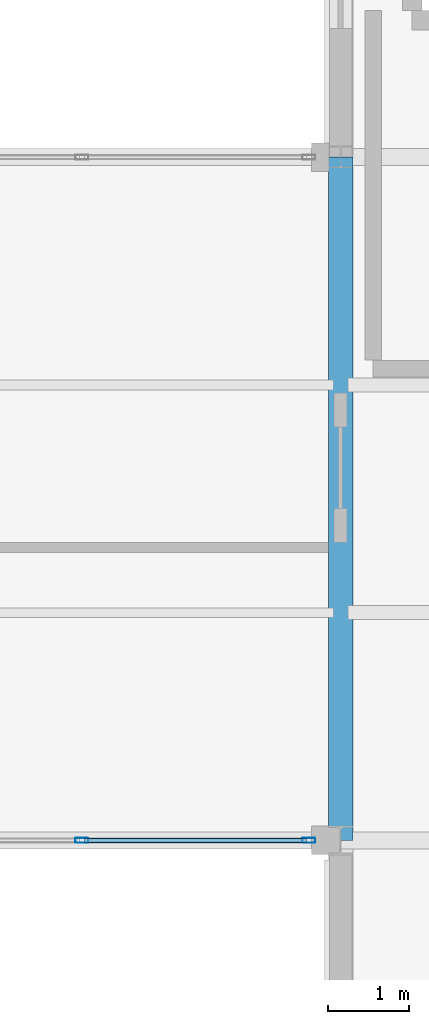
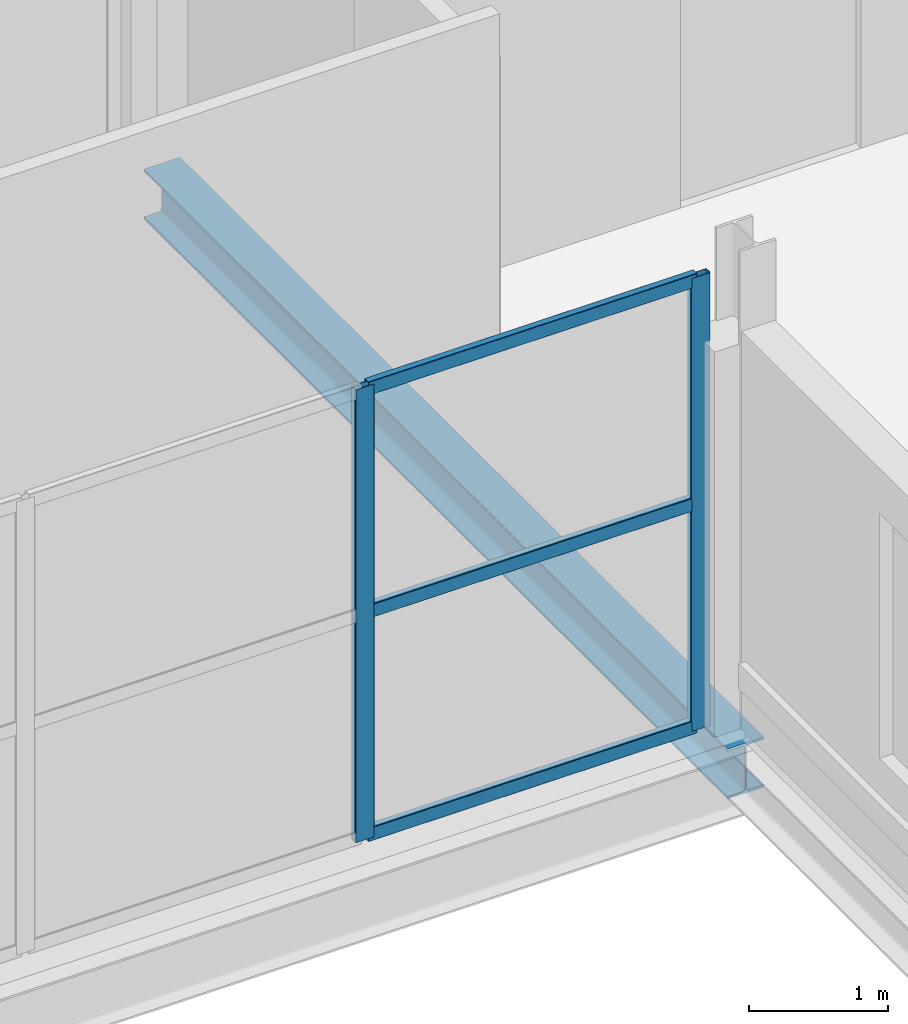
# One storey, part 57 of 101: 5 members, 1 beam, 1 element without a shape of its own.
"""IFC4 building model written with IfcOpenShell, lengths in metres."""

from ifc_helpers import new_model, si_unit, direction, frame, origin, origin_2d, place, context, subcontext, project, spatial, hollow_rectangle, i_section, extrude, material, layer, layer_set, material_profile, profile_set, type_object, element, aggregate, save


model = new_model("IFC4")

# Units and contexts
model_context = context("Model", 3, precision=1e-05, world=origin(), true_north=direction((0.0, 1.0)))
body_context = subcontext(model_context, "Body", "Model", "MODEL_VIEW")
ifc_project = project(units=[si_unit("LENGTHUNIT", "METRE"), si_unit("AREAUNIT", "SQUARE_METRE"), si_unit("VOLUMEUNIT", "CUBIC_METRE"), si_unit("PLANEANGLEUNIT", "RADIAN"), si_unit("MASSUNIT", "GRAM", prefix="KILO")], contexts=[model_context])

# Site, building, storey
site_placement = place(None, origin())
site = spatial("IfcSite", under=ifc_project, at=site_placement, CompositionType="ELEMENT")
building_placement = place(site_placement, origin())
building = spatial("IfcBuilding", under=site, at=building_placement, Name="Vekula Escarpment Museum", CompositionType="ELEMENT")
storey_placement = place(building_placement, frame((0.0, 0.0, 18.0)))
storey = spatial("IfcBuildingStorey", under=building, at=storey_placement, Name="L04", CompositionType="ELEMENT", Elevation=18.0)

# Beam
ifc_material_1 = material(Name="Steel S355", Category="steel")
ifc_material_profile_1 = material_profile(ifc_material_1, i_section(OverallWidth=0.300048828125, OverallDepth=0.43994140625, WebThickness=0.011474609375, FlangeThickness=0.02099609375, FilletRadius=0.027099609375, at=origin_2d()), Name="HEA 450")
ifc_profile_set_1 = profile_set([ifc_material_profile_1], Name="Steel S355")
beam_type = type_object("IfcBeamType", Name="BM-SPAN-HEA450", PredefinedType="SPANDREL", material=ifc_profile_set_1)
beam_placement = place(storey_placement, frame((167.0, 68.0, -0.5), z_axis=(0.0, 1.0, 0.0), x_axis=(-1.0, 0.0, 0.0)))
element("IfcBeam", 1, at=beam_placement, inside=storey, type_object=beam_type, Name="Beam Y L04 1922", PredefinedType="SPANDREL", context=body_context, shape_type="SweptSolid", body=[
    extrude(i_section(OverallWidth=0.300048828125, OverallDepth=0.43994140625, WebThickness=0.011474609375, FlangeThickness=0.02099609375, FilletRadius=0.027099609375, at=origin_2d()), origin(), (0.0, 0.0, 1.0), 8.39990234375),
])

# Curtain wall, members
ifc_material_2 = material(Name="Aluminium thermally broken framing", Category="aluminium")
ifc_layer = layer(ifc_material_2, 0.159912109375)
ifc_layer_set = layer_set([ifc_layer], Name="Aluminium thermally broken framing")
curtain_wall_type = type_object("IfcCurtainWallType", Name="CW-SYS-05", PredefinedType="NOTDEFINED", material=ifc_layer_set)
curtain_wall_placement = place(storey_placement, origin())
curtain_wall = element("IfcCurtainWall", 2, at=curtain_wall_placement, inside=storey, type_object=curtain_wall_type, Name="Curtain Wall CW-L04-145", PredefinedType="NOTDEFINED")
ifc_material_3 = material(Name="Aluminium anodized mullion", Category="aluminium")
ifc_material_profile_2 = material_profile(ifc_material_3, hollow_rectangle(XDim=0.06005859375, YDim=0.159912109375, WallThickness=0.00390625, InnerFilletRadius=0.00390625, OuterFilletRadius=0.008056640625, at=origin_2d()), Name="ALU 160x60x4")
ifc_profile_set_2 = profile_set([ifc_material_profile_2], Name="Aluminium anodized mullion")
member_type_1 = type_object("IfcMemberType", Name="CW-MUL-160", PredefinedType="MULLION", material=ifc_profile_set_2)
member_1_placement = place(storey_placement, frame((163.820068359375, 68.0, 0.0), z_axis=(0.0, 0.0, 1.0), x_axis=(0.0, 1.0, 0.0)))
member_1 = element("IfcMember", 3, at=member_1_placement, type_object=member_type_1, Name="CW-05 mullion 4", PredefinedType="MULLION", context=body_context, shape_type="SweptSolid", body=[
    extrude(hollow_rectangle(XDim=0.06005859375, YDim=0.159912109375, WallThickness=0.00390625, InnerFilletRadius=0.00390625, OuterFilletRadius=0.008056640625, at=origin_2d()), origin(), (0.0, 0.0, 1.0), 3.97998046875),
])
member_2_placement = place(storey_placement, frame((166.610107421875, 68.0, 0.0), z_axis=(0.0, 0.0, 1.0), x_axis=(0.0, 1.0, 0.0)))
member_2 = element("IfcMember", 4, at=member_2_placement, type_object=member_type_1, Name="CW-05 mullion 5", PredefinedType="MULLION", context=body_context, shape_type="SweptSolid", body=[
    extrude(hollow_rectangle(XDim=0.06005859375, YDim=0.159912109375, WallThickness=0.00390625, InnerFilletRadius=0.00390625, OuterFilletRadius=0.008056640625, at=origin_2d()), origin(), (0.0, 0.0, 1.0), 3.97998046875),
])
ifc_material_4 = material(Name="Aluminium anodized transom", Category="aluminium")
ifc_material_profile_3 = material_profile(ifc_material_4, hollow_rectangle(XDim=0.06005859375, YDim=0.1201171875, WallThickness=0.00390625, InnerFilletRadius=0.00390625, OuterFilletRadius=0.008056640625, at=origin_2d()), Name="ALU 120x60x4")
ifc_profile_set_3 = profile_set([ifc_material_profile_3], Name="Aluminium anodized transom")
member_type_2 = type_object("IfcMemberType", Name="CW-TRN-120", PredefinedType="USERDEFINED", material=ifc_profile_set_3)
member_3_placement = place(storey_placement, frame((163.85009765625, 68.0, 0.030029296875), z_axis=(1.0, 0.0, 0.0), x_axis=(0.0, 1.0, 0.0)))
member_3 = element("IfcMember", 5, at=member_3_placement, type_object=member_type_2, Name="CW-05 transom 4.1", ObjectType="TRANSOM", PredefinedType="USERDEFINED", context=body_context, shape_type="SweptSolid", body=[
    extrude(hollow_rectangle(XDim=0.06005859375, YDim=0.1201171875, WallThickness=0.00390625, InnerFilletRadius=0.00390625, OuterFilletRadius=0.008056640625, at=origin_2d()), origin(), (0.0, 0.0, 1.0), 2.72998046875),
])
member_4_placement = place(storey_placement, frame((163.85009765625, 68.0, 1.989990234375), z_axis=(1.0, 0.0, 0.0), x_axis=(0.0, 1.0, 0.0)))
member_4 = element("IfcMember", 6, at=member_4_placement, type_object=member_type_2, Name="CW-05 transom 4.2", ObjectType="TRANSOM", PredefinedType="USERDEFINED", context=body_context, shape_type="SweptSolid", body=[
    extrude(hollow_rectangle(XDim=0.06005859375, YDim=0.1201171875, WallThickness=0.00390625, InnerFilletRadius=0.00390625, OuterFilletRadius=0.008056640625, at=origin_2d()), origin(), (0.0, 0.0, 1.0), 2.72998046875),
])
member_5_placement = place(storey_placement, frame((163.85009765625, 68.0, 3.949951171875), z_axis=(1.0, 0.0, 0.0), x_axis=(0.0, 1.0, 0.0)))
member_5 = element("IfcMember", 7, at=member_5_placement, type_object=member_type_2, Name="CW-05 transom 4.3", ObjectType="TRANSOM", PredefinedType="USERDEFINED", context=body_context, shape_type="SweptSolid", body=[
    extrude(hollow_rectangle(XDim=0.06005859375, YDim=0.1201171875, WallThickness=0.00390625, InnerFilletRadius=0.00390625, OuterFilletRadius=0.008056640625, at=origin_2d()), origin(), (0.0, 0.0, 1.0), 2.72998046875),
])
aggregate(curtain_wall, [member_1, member_2, member_3, member_4, member_5])

save(model, "model.ifc")
